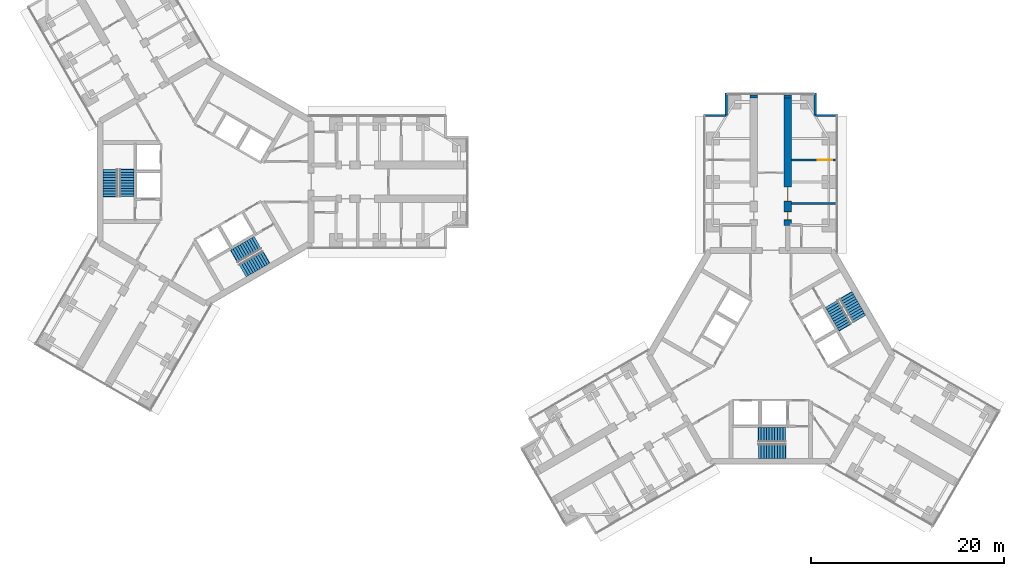
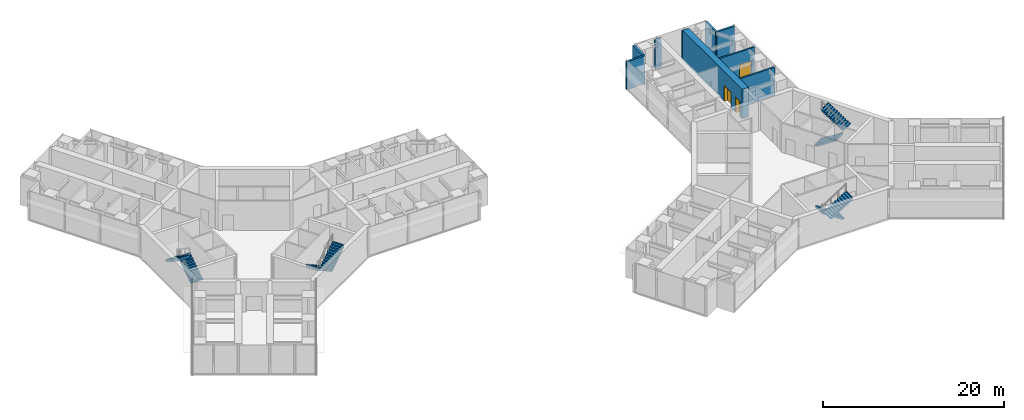
# One storey, part 20 of 21: 9 walls, 8 stair flights, 3 doors, 3 openings, 4 elements without a shape of their own.
"""IFC4 building model written with IfcOpenShell, lengths in metres."""

from ifc_helpers import new_model, si_unit, direction, frame, frame_2d, origin, place, context, subcontext, project, spatial, polyline, rectangle, outline, extrude, material, layer, layer_set, type_object, element, fill, aggregate, save


model = new_model("IFC4")

# Units and contexts
model_context = context("Model", 3, precision=1e-05, world=origin(), true_north=direction((0.0, 1.0)))
body_context = subcontext(model_context, "Body", "Model", "MODEL_VIEW")
ifc_project = project(units=[si_unit("LENGTHUNIT", "METRE"), si_unit("AREAUNIT", "SQUARE_METRE"), si_unit("VOLUMEUNIT", "CUBIC_METRE"), si_unit("PLANEANGLEUNIT", "RADIAN"), si_unit("MASSUNIT", "GRAM", prefix="KILO")], contexts=[model_context])

# Site, building, storey
site_placement = place(None, origin())
site = spatial("IfcSite", under=ifc_project, at=site_placement, CompositionType="ELEMENT")
building_placement = place(site_placement, origin())
building = spatial("IfcBuilding", under=site, at=building_placement, Name="Upepo Twin Towers", CompositionType="ELEMENT")
storey_placement = place(building_placement, frame((0.0, 0.0, 113.5)))
storey = spatial("IfcBuildingStorey", under=building, at=storey_placement, Name="L27", CompositionType="ELEMENT", Elevation=113.5)

# Wall
ifc_material_1 = material(Name="Concrete blockwork, plastered both faces", Category="masonry")
ifc_layer_1 = layer(ifc_material_1, 0.215087890625)
ifc_layer_set_1 = layer_set([ifc_layer_1], Name="Blockwork partition 215")
wall_type_1 = type_object("IfcWallType", Name="Blockwork partition 215", PredefinedType="PARTITIONING", material=ifc_layer_set_1)
wall_1_placement = place(storey_placement, frame((60.64990234375, -2.25, 0.0), z_axis=(0.0, 0.0, 1.0), x_axis=(1.0, 0.0, 0.0)))
element("IfcWall", 1, at=wall_1_placement, inside=storey, type_object=wall_type_1, Name="T2 partition AR at 15.75", PredefinedType="PARTITIONING", context=body_context, shape_type="SweptSolid", body=[
    extrude(rectangle(XDim=4.60009765625, YDim=0.215087890625, at=frame_2d((2.300048828125, 0.0))), origin(), (0.0, 0.0, 1.0), 3.800048828125),
])

# Wall, opening, door
wall_2_placement = place(storey_placement, frame((60.64990234375, 2.25, 0.0), z_axis=(0.0, 0.0, 1.0), x_axis=(1.0, 0.0, 0.0)))
wall_2 = element("IfcWall", 2, at=wall_2_placement, inside=storey, type_object=wall_type_1, Name="T2 partition AR at 20.25", PredefinedType="PARTITIONING", context=body_context, shape_type="SweptSolid", body=[
    extrude(rectangle(XDim=4.60009765625, YDim=0.215087890625, at=frame_2d((2.300048828125, 0.0))), origin(), (0.0, 0.0, 1.0), 3.800048828125),
])
opening_1_placement = place(wall_2_placement, frame((2.699951171875, 0.0, 0.0)))
opening_1 = element("IfcOpeningElement", 3, at=opening_1_placement, cuts=wall_2, Name="Opening D13", PredefinedType="OPENING", context=body_context, shape_type="SweptSolid", body=[
    extrude(rectangle(XDim=1.5, YDim=2.10009765625, at=frame_2d((0.75, 1.050048828125))), frame((0.0, 0.117431640625, 0.0), z_axis=(0.0, -1.0, 0.0), x_axis=(1.0, 0.0, 0.0)), (0.0, 0.0, 1.0), 0.235107421875),
])
ifc_material_2 = material(Name="Timber doorset", Category="wood")
door_type_1 = type_object("IfcDoorType", Name="Double door 1500 FD30", OperationType="DOUBLE_DOOR_SINGLE_SWING", PredefinedType="DOOR", material=ifc_material_2)
door_1_placement = place(opening_1_placement, origin())
door_1 = element("IfcDoor", 4, at=door_1_placement, inside=storey, type_object=door_type_1, Name="T2 L27 connecting door", OperationType="DOUBLE_DOOR_SINGLE_SWING", OverallHeight=2.10009765625, OverallWidth=1.5, PredefinedType="DOOR", context=body_context, shape_type="SweptSolid", body=[
    extrude(rectangle(XDim=1.5, YDim=2.10009765625, at=frame_2d((0.75, 1.050048828125))), frame((0.0, 0.02490234375, 0.0), z_axis=(0.0, -1.0, 0.0), x_axis=(1.0, 0.0, 0.0)), (0.0, 0.0, 1.0), 0.050048828125),
])
fill(opening_1, door_1)

# Walls
ifc_material_3 = material(Name="Dense concrete blockwork", Category="masonry")
ifc_layer_2 = layer(ifc_material_3, 0.800048828125)
ifc_layer_set_2 = layer_set([ifc_layer_2], Name="Buttress closer 800, blockwork with fire-stopping to the curtain wall")
wall_type_2 = type_object("IfcWallType", Name="Buttress closer 800, blockwork with fire-stopping to the curtain wall", PredefinedType="PARTITIONING", material=ifc_layer_set_2)
for number, where, z_axis, x_axis, name in (
    (5, (56.75, 8.699951171875, 0.0), (0.0, 0.0, 1.0), (0.0, 1.0, 0.0), "T2 L27 wing A buttress closer L"),
    (6, (60.25, 8.699951171875, 0.0), (0.0, 0.0, 1.0), (0.0, 1.0, 0.0), "T2 L27 wing A buttress closer R"),
):
    element("IfcWall", number, at=place(storey_placement, frame(where, z_axis=z_axis, x_axis=x_axis)), inside=storey, type_object=wall_type_2, Name=name, PredefinedType="PARTITIONING", context=body_context, shape_type="SweptSolid", body=[
        extrude(rectangle(XDim=0.300048828125, YDim=0.800048828125, at=frame_2d((0.14990234375, 0.0))), origin(), (0.0, 0.0, 1.0), 3.800048828125),
    ])

# Wall, openings, doors
ifc_material_4 = material(Name="Concrete C60/75", Category="concrete")
ifc_layer_3 = layer(ifc_material_4, 0.800048828125)
ifc_layer_set_3 = layer_set([ifc_layer_3], Name="Concrete C60/75")
wall_type_3 = type_object("IfcWallType", Name="Buttress wall 800 RC", PredefinedType="SHEAR", material=ifc_layer_set_3)
wall_3_placement = place(storey_placement, frame((60.25, -4.5, 0.0), z_axis=(0.0, 0.0, 1.0), x_axis=(0.0, 1.0, 0.0)))
wall_3 = element("IfcWall", 7, at=wall_3_placement, inside=storey, type_object=wall_type_3, Name="T2 wing A buttress wall R part 2", PredefinedType="SHEAR", context=body_context, shape_type="SweptSolid", body=[
    extrude(rectangle(XDim=13.199951171875, YDim=0.800048828125, at=frame_2d((6.60009765625, 0.0))), origin(), (0.0, 0.0, 1.0), 4.0),
])
opening_2_placement = place(wall_3_placement, frame((0.550048828125, 0.0, 0.0)))
opening_2 = element("IfcOpeningElement", 8, at=opening_2_placement, cuts=wall_3, Name="Opening D11", PredefinedType="OPENING", context=body_context, shape_type="SweptSolid", body=[
    extrude(rectangle(XDim=0.89990234375, YDim=2.10009765625, at=frame_2d((0.449951171875, 1.050048828125))), frame((0.0, 0.409912109375, 0.0), z_axis=(0.0, -1.0, 0.0), x_axis=(1.0, 0.0, 0.0)), (0.0, 0.0, 1.0), 0.820068359375),
])
opening_3_placement = place(wall_3_placement, frame((2.5, 0.0, 0.0)))
opening_3 = element("IfcOpeningElement", 9, at=opening_3_placement, cuts=wall_3, Name="Opening D13", PredefinedType="OPENING", context=body_context, shape_type="SweptSolid", body=[
    extrude(rectangle(XDim=1.5, YDim=2.10009765625, at=frame_2d((0.75, 1.050048828125))), frame((0.0, 0.409912109375, 0.0), z_axis=(0.0, -1.0, 0.0), x_axis=(1.0, 0.0, 0.0)), (0.0, 0.0, 1.0), 0.820068359375),
])
door_2_placement = place(opening_3_placement, origin())
door_2 = element("IfcDoor", 10, at=door_2_placement, inside=storey, type_object=door_type_1, Name="T2 L27 lecture room door", OperationType="DOUBLE_DOOR_SINGLE_SWING", OverallHeight=2.10009765625, OverallWidth=1.5, PredefinedType="DOOR", context=body_context, shape_type="SweptSolid", body=[
    extrude(rectangle(XDim=1.42, YDim=2.06009765625, at=frame_2d((0.75, 1.030029296875))), frame((0.0, 0.02490234375, 0.0), z_axis=(0.0, -1.0, 0.0), x_axis=(1.0, 0.0, 0.0)), (0.0, 0.0, 1.0), 0.050048828125),
    extrude(rectangle(XDim=0.04, YDim=2.10009765625, at=frame_2d((0.02001953125, 1.050048828125))), frame((0.0, 0.39990234375, 0.0), z_axis=(0.0, -1.0, 0.0), x_axis=(1.0, 0.0, 0.0)), (0.0, 0.0, 1.0), 0.799560546875),
    extrude(rectangle(XDim=0.04, YDim=2.10009765625, at=frame_2d((1.47998046875, 1.050048828125))), frame((0.0, 0.39990234375, 0.0), z_axis=(0.0, -1.0, 0.0), x_axis=(1.0, 0.0, 0.0)), (0.0, 0.0, 1.0), 0.799560546875),
    extrude(rectangle(XDim=1.42, YDim=0.04, at=frame_2d((0.75, 2.080078125))), frame((0.0, 0.39990234375, 0.0), z_axis=(0.0, -1.0, 0.0), x_axis=(1.0, 0.0, 0.0)), (0.0, 0.0, 1.0), 0.799560546875),
])
fill(opening_3, door_2)
ifc_material_5 = material(Name="Timber doorset", Category="wood")
door_type_2 = type_object("IfcDoorType", Name="Toilet door 900", OperationType="SINGLE_SWING_LEFT", PredefinedType="DOOR", material=ifc_material_5)
door_3_placement = place(opening_2_placement, origin())
door_3 = element("IfcDoor", 11, at=door_3_placement, inside=storey, type_object=door_type_2, Name="T2 L27 toilets door", OperationType="SINGLE_SWING_LEFT", OverallHeight=2.10009765625, OverallWidth=0.89990234375, PredefinedType="DOOR", context=body_context, shape_type="SweptSolid", body=[
    extrude(rectangle(XDim=0.81990234375, YDim=2.06009765625, at=frame_2d((0.449951171875, 1.030029296875))), frame((0.0, 0.02490234375, 0.0), z_axis=(0.0, -1.0, 0.0), x_axis=(1.0, 0.0, 0.0)), (0.0, 0.0, 1.0), 0.050048828125),
    extrude(rectangle(XDim=0.04, YDim=2.10009765625, at=frame_2d((0.02001953125, 1.050048828125))), frame((0.0, 0.39990234375, 0.0), z_axis=(0.0, -1.0, 0.0), x_axis=(1.0, 0.0, 0.0)), (0.0, 0.0, 1.0), 0.799560546875),
    extrude(rectangle(XDim=0.04, YDim=2.10009765625, at=frame_2d((0.8798828125, 1.050048828125))), frame((0.0, 0.39990234375, 0.0), z_axis=(0.0, -1.0, 0.0), x_axis=(1.0, 0.0, 0.0)), (0.0, 0.0, 1.0), 0.799560546875),
    extrude(rectangle(XDim=0.81990234375, YDim=0.04, at=frame_2d((0.449951171875, 2.080078125))), frame((0.0, 0.39990234375, 0.0), z_axis=(0.0, -1.0, 0.0), x_axis=(1.0, 0.0, 0.0)), (0.0, 0.0, 1.0), 0.799560546875),
])
fill(opening_2, door_3)

# Walls
ifc_material_6 = material(Name="Blockwork with anodised aluminium cladding", Category="masonry")
ifc_layer_4 = layer(ifc_material_6, 0.25)
ifc_layer_set_4 = layer_set([ifc_layer_4], Name="Notch cladding wall 250, pale metal")
wall_type_4 = type_object("IfcWallType", Name="Notch cladding wall 250, pale metal", PredefinedType="STANDARD", material=ifc_layer_set_4)
for number, where, z_axis, x_axis, name in (
    (12, (51.550048828125, 6.875, 0.0), (0.0, 0.0, 1.0), (1.0, 0.0, 0.0), "T2 L27 wing A notch wall L1"),
    (13, (53.875, 6.875, 0.0), (0.0, 0.0, 1.0), (0.0, 1.0, 0.0), "T2 L27 wing A notch wall L2"),
    (14, (65.449951171875, 6.875, 0.0), (0.0, 0.0, 1.0), (-1.0, 0.0, 0.0), "T2 L27 wing A notch wall R1"),
    (15, (63.125, 6.875, 0.0), (0.0, 0.0, 1.0), (0.0, 1.0, 0.0), "T2 L27 wing A notch wall R2"),
):
    element("IfcWall", number, at=place(storey_placement, frame(where, z_axis=z_axis, x_axis=x_axis)), inside=storey, type_object=wall_type_4, Name=name, PredefinedType="STANDARD", context=body_context, shape_type="SweptSolid", body=[
        extrude(rectangle(XDim=2.324951171875, YDim=0.25, at=frame_2d((1.16259765625, 0.0))), origin(), (0.0, 0.0, 1.0), 3.800048828125),
    ])

# Stair, stair flights
ifc_material_7 = material(Name="Concrete C40/50", Category="concrete")
stair_type = type_object("IfcStairType", Name="Core stair, two flights", PredefinedType="HALF_TURN_STAIR", material=ifc_material_7)
stair_1_placement = place(storey_placement, origin())
stair_1 = element("IfcStair", 16, at=stair_1_placement, inside=storey, type_object=stair_type, Name="T1 stair S1 L27", PredefinedType="HALF_TURN_STAIR")
ifc_material_8 = material(Name="Concrete C40/50", Category="concrete")
stair_flight_type = type_object("IfcStairFlightType", Name="Stair flight 1500 RC", PredefinedType="STRAIGHT", material=ifc_material_8)
stair_flight_1_placement = place(storey_placement, frame((-8.14990234375, -1.52001953125, 0.0), z_axis=(0.0, 0.0, 1.0), x_axis=(0.0, 1.0, 0.0)))
stair_flight_1 = element("IfcStairFlight", 17, at=stair_flight_1_placement, type_object=stair_flight_type, Name="Stair S1 flight 1", NumberOfRisers=11, NumberOfTreads=10, PredefinedType="STRAIGHT", RiserHeight=0.181818182, TreadLength=0.28, context=body_context, shape_type="SweptSolid", body=[
    extrude(outline(polyline([(0.0, 0.0), (0.0, 0.181884765625), (0.280029296875, 0.181884765625), (0.280029296875, 0.363525390625), (0.56005859375, 0.363525390625), (0.56005859375, 0.54541015625), (0.840087890625, 0.54541015625), (0.840087890625, 0.727294921875), (1.1201171875, 0.727294921875), (1.1201171875, 0.9091796875), (1.39990234375, 0.9091796875), (1.39990234375, 1.0908203125), (1.679931640625, 1.0908203125), (1.679931640625, 1.272705078125), (1.9599609375, 1.272705078125), (1.9599609375, 1.45458984375), (2.239990234375, 1.45458984375), (2.239990234375, 1.636474609375), (2.52001953125, 1.636474609375), (2.52001953125, 1.818115234375), (2.800048828125, 1.818115234375), (2.800048828125, 2.0), (2.85009765625, 2.0), (2.85009765625, 1.639404296875), (0.3251953125, 0.0), (0.0, 0.0)])), frame((0.0, 0.75, 0.0), z_axis=(0.0, -1.0, 0.0), x_axis=(1.0, 0.0, 0.0)), (0.0, 0.0, 1.0), 1.5),
])
stair_flight_2_placement = place(storey_placement, frame((-9.8583984375, 1.280029296875, 2.0), z_axis=(0.0, 0.0, 1.0), x_axis=(0.0, -1.0, 0.0)))
stair_flight_2 = element("IfcStairFlight", 18, at=stair_flight_2_placement, type_object=stair_flight_type, Name="Stair S1 flight 2", NumberOfRisers=11, NumberOfTreads=10, PredefinedType="STRAIGHT", RiserHeight=0.181818182, TreadLength=0.28, context=body_context, shape_type="SweptSolid", body=[
    extrude(outline(polyline([(0.0, 0.0), (0.0, 0.181884765625), (0.280029296875, 0.181884765625), (0.280029296875, 0.363525390625), (0.56005859375, 0.363525390625), (0.56005859375, 0.54541015625), (0.840087890625, 0.54541015625), (0.840087890625, 0.727294921875), (1.1201171875, 0.727294921875), (1.1201171875, 0.9091796875), (1.39990234375, 0.9091796875), (1.39990234375, 1.0908203125), (1.679931640625, 1.0908203125), (1.679931640625, 1.272705078125), (1.9599609375, 1.272705078125), (1.9599609375, 1.45458984375), (2.239990234375, 1.45458984375), (2.239990234375, 1.636474609375), (2.52001953125, 1.636474609375), (2.52001953125, 1.818115234375), (2.800048828125, 1.818115234375), (2.800048828125, 2.0), (2.85009765625, 2.0), (2.85009765625, 1.639404296875), (0.3251953125, 0.0), (0.0, 0.0)])), frame((0.0, 0.75, 0.0), z_axis=(0.0, -1.0, 0.0), x_axis=(1.0, 0.0, 0.0)), (0.0, 0.0, 1.0), 1.5),
])
aggregate(stair_1, [stair_flight_1, stair_flight_2])

stair_2_placement = place(storey_placement, origin())
stair_2 = element("IfcStair", 19, at=stair_2_placement, inside=storey, type_object=stair_type, Name="T1 stair S2 L27", PredefinedType="HALF_TURN_STAIR")
stair_flight_3_placement = place(storey_placement, frame((5.391357421875, -6.298095703125, 0.0), z_axis=(0.0, 0.0, 1.0), x_axis=(-0.866025403784, -0.5, 0.0)))
stair_flight_3 = element("IfcStairFlight", 20, at=stair_flight_3_placement, type_object=stair_flight_type, Name="Stair S2 flight 1", NumberOfRisers=11, NumberOfTreads=10, PredefinedType="STRAIGHT", RiserHeight=0.181818182, TreadLength=0.28, context=body_context, shape_type="SweptSolid", body=[
    extrude(outline(polyline([(0.0, 0.0), (0.0, 0.181884765625), (0.280029296875, 0.181884765625), (0.280029296875, 0.363525390625), (0.56005859375, 0.363525390625), (0.56005859375, 0.54541015625), (0.840087890625, 0.54541015625), (0.840087890625, 0.727294921875), (1.1201171875, 0.727294921875), (1.1201171875, 0.9091796875), (1.39990234375, 0.9091796875), (1.39990234375, 1.0908203125), (1.679931640625, 1.0908203125), (1.679931640625, 1.272705078125), (1.9599609375, 1.272705078125), (1.9599609375, 1.45458984375), (2.239990234375, 1.45458984375), (2.239990234375, 1.636474609375), (2.52001953125, 1.636474609375), (2.52001953125, 1.818115234375), (2.800048828125, 1.818115234375), (2.800048828125, 2.0), (2.85009765625, 2.0), (2.85009765625, 1.639404296875), (0.3251953125, 0.0), (0.0, 0.0)])), frame((0.0, 0.75, 0.0), z_axis=(0.0, -1.0, 0.0), x_axis=(1.0, 0.0, 0.0)), (0.0, 0.0, 1.0), 1.5),
])
stair_flight_4_placement = place(storey_placement, frame((3.820556640625, -9.177490234375, 2.0), z_axis=(0.0, 0.0, 1.0), x_axis=(0.866025403784, 0.5, 0.0)))
stair_flight_4 = element("IfcStairFlight", 21, at=stair_flight_4_placement, type_object=stair_flight_type, Name="Stair S2 flight 2", NumberOfRisers=11, NumberOfTreads=10, PredefinedType="STRAIGHT", RiserHeight=0.181818182, TreadLength=0.28, context=body_context, shape_type="SweptSolid", body=[
    extrude(outline(polyline([(0.0, 0.0), (0.0, 0.181884765625), (0.280029296875, 0.181884765625), (0.280029296875, 0.363525390625), (0.56005859375, 0.363525390625), (0.56005859375, 0.54541015625), (0.840087890625, 0.54541015625), (0.840087890625, 0.727294921875), (1.1201171875, 0.727294921875), (1.1201171875, 0.9091796875), (1.39990234375, 0.9091796875), (1.39990234375, 1.0908203125), (1.679931640625, 1.0908203125), (1.679931640625, 1.272705078125), (1.9599609375, 1.272705078125), (1.9599609375, 1.45458984375), (2.239990234375, 1.45458984375), (2.239990234375, 1.636474609375), (2.52001953125, 1.636474609375), (2.52001953125, 1.818115234375), (2.800048828125, 1.818115234375), (2.800048828125, 2.0), (2.85009765625, 2.0), (2.85009765625, 1.639404296875), (0.3251953125, 0.0), (0.0, 0.0)])), frame((0.0, 0.75, 0.0), z_axis=(0.0, -1.0, 0.0), x_axis=(1.0, 0.0, 0.0)), (0.0, 0.0, 1.0), 1.5),
])
aggregate(stair_2, [stair_flight_3, stair_flight_4])

stair_3_placement = place(storey_placement, origin())
stair_3 = element("IfcStair", 22, at=stair_3_placement, inside=storey, type_object=stair_type, Name="T2 stair S1 L27", PredefinedType="HALF_TURN_STAIR")
stair_flight_5_placement = place(storey_placement, frame((60.02001953125, -26.14990234375, 0.0), z_axis=(0.0, 0.0, 1.0), x_axis=(-1.0, 0.0, 0.0)))
stair_flight_5 = element("IfcStairFlight", 23, at=stair_flight_5_placement, type_object=stair_flight_type, Name="Stair S1 flight 1", NumberOfRisers=11, NumberOfTreads=10, PredefinedType="STRAIGHT", RiserHeight=0.181818182, TreadLength=0.28, context=body_context, shape_type="SweptSolid", body=[
    extrude(outline(polyline([(0.0, 0.0), (0.0, 0.181884765625), (0.280029296875, 0.181884765625), (0.280029296875, 0.363525390625), (0.56005859375, 0.363525390625), (0.56005859375, 0.54541015625), (0.840087890625, 0.54541015625), (0.840087890625, 0.727294921875), (1.1201171875, 0.727294921875), (1.1201171875, 0.9091796875), (1.39990234375, 0.9091796875), (1.39990234375, 1.0908203125), (1.679931640625, 1.0908203125), (1.679931640625, 1.272705078125), (1.9599609375, 1.272705078125), (1.9599609375, 1.45458984375), (2.239990234375, 1.45458984375), (2.239990234375, 1.636474609375), (2.52001953125, 1.636474609375), (2.52001953125, 1.818115234375), (2.800048828125, 1.818115234375), (2.800048828125, 2.0), (2.85009765625, 2.0), (2.85009765625, 1.639404296875), (0.3251953125, 0.0), (0.0, 0.0)])), frame((0.0, 0.75, 0.0), z_axis=(0.0, -1.0, 0.0), x_axis=(1.0, 0.0, 0.0)), (0.0, 0.0, 1.0), 1.5),
])
stair_flight_6_placement = place(storey_placement, frame((57.219970703125, -27.8583984375, 2.0), z_axis=(0.0, 0.0, 1.0), x_axis=(1.0, 0.0, 0.0)))
stair_flight_6 = element("IfcStairFlight", 24, at=stair_flight_6_placement, type_object=stair_flight_type, Name="Stair S1 flight 2", NumberOfRisers=11, NumberOfTreads=10, PredefinedType="STRAIGHT", RiserHeight=0.181818182, TreadLength=0.28, context=body_context, shape_type="SweptSolid", body=[
    extrude(outline(polyline([(0.0, 0.0), (0.0, 0.181884765625), (0.280029296875, 0.181884765625), (0.280029296875, 0.363525390625), (0.56005859375, 0.363525390625), (0.56005859375, 0.54541015625), (0.840087890625, 0.54541015625), (0.840087890625, 0.727294921875), (1.1201171875, 0.727294921875), (1.1201171875, 0.9091796875), (1.39990234375, 0.9091796875), (1.39990234375, 1.0908203125), (1.679931640625, 1.0908203125), (1.679931640625, 1.272705078125), (1.9599609375, 1.272705078125), (1.9599609375, 1.45458984375), (2.239990234375, 1.45458984375), (2.239990234375, 1.636474609375), (2.52001953125, 1.636474609375), (2.52001953125, 1.818115234375), (2.800048828125, 1.818115234375), (2.800048828125, 2.0), (2.85009765625, 2.0), (2.85009765625, 1.639404296875), (0.3251953125, 0.0), (0.0, 0.0)])), frame((0.0, 0.75, 0.0), z_axis=(0.0, -1.0, 0.0), x_axis=(1.0, 0.0, 0.0)), (0.0, 0.0, 1.0), 1.5),
])
aggregate(stair_3, [stair_flight_5, stair_flight_6])

stair_4_placement = place(storey_placement, origin())
stair_4 = element("IfcStair", 25, at=stair_4_placement, inside=storey, type_object=stair_type, Name="T2 stair S2 L27", PredefinedType="HALF_TURN_STAIR")
stair_flight_7_placement = place(storey_placement, frame((64.798095703125, -12.608642578125, 0.0), z_axis=(0.0, 0.0, 1.0), x_axis=(0.5, -0.866025403784, 0.0)))
stair_flight_7 = element("IfcStairFlight", 26, at=stair_flight_7_placement, type_object=stair_flight_type, Name="Stair S2 flight 1", NumberOfRisers=11, NumberOfTreads=10, PredefinedType="STRAIGHT", RiserHeight=0.181818182, TreadLength=0.28, context=body_context, shape_type="SweptSolid", body=[
    extrude(outline(polyline([(0.0, 0.0), (0.0, 0.181884765625), (0.280029296875, 0.181884765625), (0.280029296875, 0.363525390625), (0.56005859375, 0.363525390625), (0.56005859375, 0.54541015625), (0.840087890625, 0.54541015625), (0.840087890625, 0.727294921875), (1.1201171875, 0.727294921875), (1.1201171875, 0.9091796875), (1.39990234375, 0.9091796875), (1.39990234375, 1.0908203125), (1.679931640625, 1.0908203125), (1.679931640625, 1.272705078125), (1.9599609375, 1.272705078125), (1.9599609375, 1.45458984375), (2.239990234375, 1.45458984375), (2.239990234375, 1.636474609375), (2.52001953125, 1.636474609375), (2.52001953125, 1.818115234375), (2.800048828125, 1.818115234375), (2.800048828125, 2.0), (2.85009765625, 2.0), (2.85009765625, 1.639404296875), (0.3251953125, 0.0), (0.0, 0.0)])), frame((0.0, 0.75, 0.0), z_axis=(0.0, -1.0, 0.0), x_axis=(1.0, 0.0, 0.0)), (0.0, 0.0, 1.0), 1.5),
])
stair_flight_8_placement = place(storey_placement, frame((67.677490234375, -14.179443359375, 2.0), z_axis=(0.0, 0.0, 1.0), x_axis=(-0.5, 0.866025403784, 0.0)))
stair_flight_8 = element("IfcStairFlight", 27, at=stair_flight_8_placement, type_object=stair_flight_type, Name="Stair S2 flight 2", NumberOfRisers=11, NumberOfTreads=10, PredefinedType="STRAIGHT", RiserHeight=0.181818182, TreadLength=0.28, context=body_context, shape_type="SweptSolid", body=[
    extrude(outline(polyline([(0.0, 0.0), (0.0, 0.181884765625), (0.280029296875, 0.181884765625), (0.280029296875, 0.363525390625), (0.56005859375, 0.363525390625), (0.56005859375, 0.54541015625), (0.840087890625, 0.54541015625), (0.840087890625, 0.727294921875), (1.1201171875, 0.727294921875), (1.1201171875, 0.9091796875), (1.39990234375, 0.9091796875), (1.39990234375, 1.0908203125), (1.679931640625, 1.0908203125), (1.679931640625, 1.272705078125), (1.9599609375, 1.272705078125), (1.9599609375, 1.45458984375), (2.239990234375, 1.45458984375), (2.239990234375, 1.636474609375), (2.52001953125, 1.636474609375), (2.52001953125, 1.818115234375), (2.800048828125, 1.818115234375), (2.800048828125, 2.0), (2.85009765625, 2.0), (2.85009765625, 1.639404296875), (0.3251953125, 0.0), (0.0, 0.0)])), frame((0.0, 0.75, 0.0), z_axis=(0.0, -1.0, 0.0), x_axis=(1.0, 0.0, 0.0)), (0.0, 0.0, 1.0), 1.5),
])
aggregate(stair_4, [stair_flight_7, stair_flight_8])

save(model, "model.ifc")
